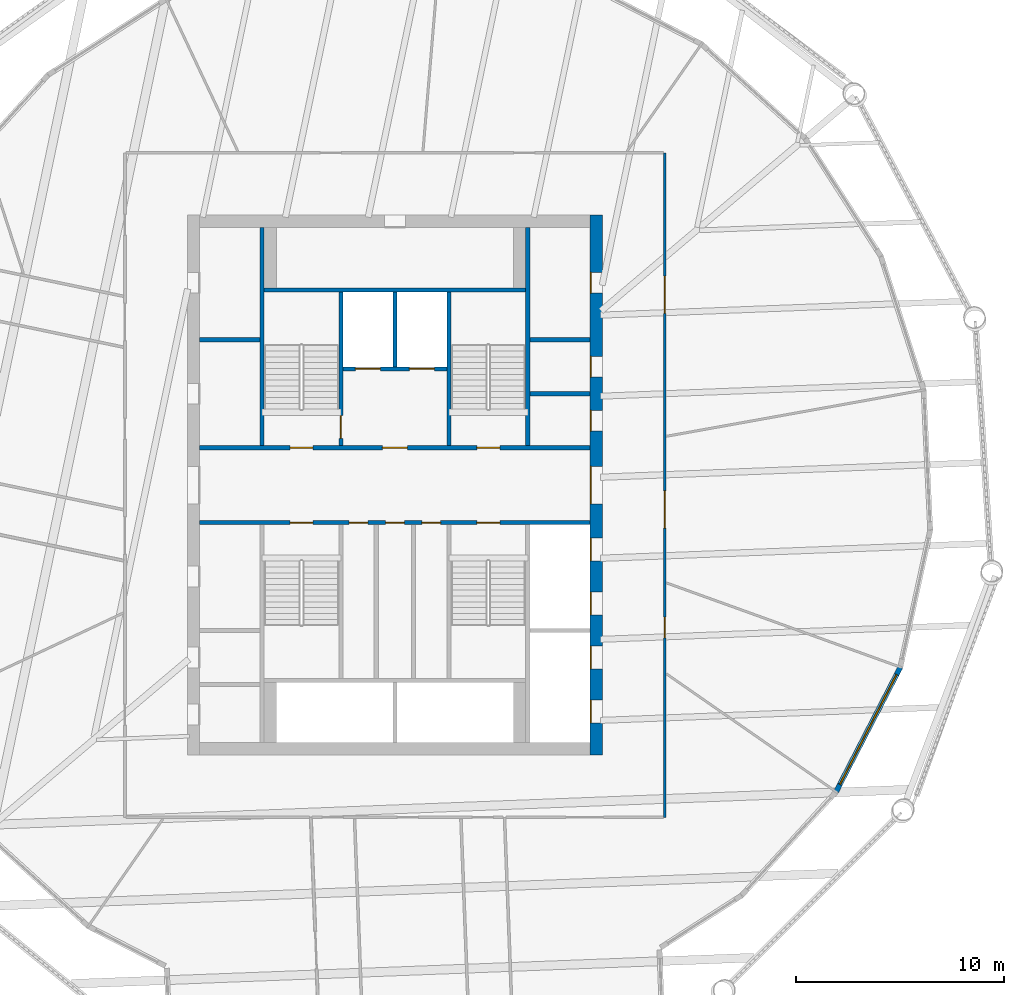
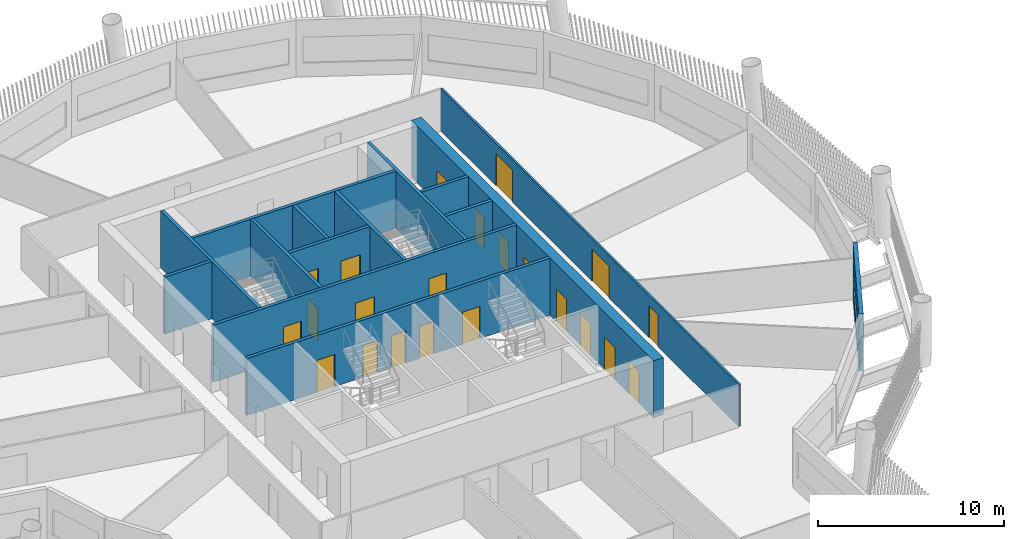
# One storey, part 5 of 14: 22 doors, 15 walls, 1 window, 23 openings.
"""IFC4 building model written with IfcOpenShell, lengths in metres."""

from ifc_helpers import new_model, si_unit, direction, frame, frame_2d, origin, place, context, subcontext, project, spatial, rectangle, extrude, material, layer, layer_set, type_object, element, fill, save


model = new_model("IFC4")

# Units and contexts
model_context = context("Model", 3, precision=1e-05, world=origin(), true_north=direction((0.0, 1.0)))
body_context = subcontext(model_context, "Body", "Model", "MODEL_VIEW")
ifc_project = project(units=[si_unit("LENGTHUNIT", "METRE"), si_unit("AREAUNIT", "SQUARE_METRE"), si_unit("VOLUMEUNIT", "CUBIC_METRE"), si_unit("PLANEANGLEUNIT", "RADIAN"), si_unit("MASSUNIT", "GRAM", prefix="KILO")], contexts=[model_context])

# Site, building, storey
site_placement = place(None, origin())
site = spatial("IfcSite", under=ifc_project, at=site_placement, CompositionType="ELEMENT")
building_placement = place(site_placement, origin())
building = spatial("IfcBuilding", under=site, at=building_placement, Name="Tarsis Ring Headquarters", CompositionType="ELEMENT")
storey_placement = place(building_placement, frame((0.0, 0.0, 235.5)))
storey = spatial("IfcBuildingStorey", under=building, at=storey_placement, Name="L55", CompositionType="ELEMENT", Elevation=235.5)

# Walls
ifc_material_1 = material(Name="Blockwork", Category="masonry")
ifc_layer_1 = layer(ifc_material_1, 0.199951171875)
ifc_layer_set_1 = layer_set([ifc_layer_1], Name="Core blockwork wall 200")
wall_type_1 = type_object("IfcWallType", Name="Core blockwork wall 200", PredefinedType="PARTITIONING", material=ifc_layer_set_1)
for number, where, z_axis, x_axis, name in (
    (1, (-9.39990234375, 7.0, 0.0), (0.0, 0.0, 1.0), (1.0, 0.0, 0.0), "Core partition WD6"),
    (2, (6.5, 4.39990234375, 0.0), (0.0, 0.0, 1.0), (1.0, 0.0, 0.0), "Core partition ED5"),
    (3, (6.5, 7.0, 0.0), (0.0, 0.0, 1.0), (1.0, 0.0, 0.0), "Core partition ED6"),
):
    element("IfcWall", number, at=place(storey_placement, frame(where, z_axis=z_axis, x_axis=x_axis)), inside=storey, type_object=wall_type_1, Name=name, PredefinedType="PARTITIONING", context=body_context, shape_type="SweptSolid", body=[
        extrude(rectangle(XDim=2.89990234375, YDim=0.199951171875, at=frame_2d((1.449951171875, 0.0))), origin(), (0.0, 0.0, 1.0), 3.739990234375),
    ])

# Wall, openings, doors
ifc_material_2 = material(Name="Concrete C50/60", Category="concrete")
ifc_layer_2 = layer(ifc_material_2, 0.60009765625)
ifc_layer_set_2 = layer_set([ifc_layer_2], Name="Core wall 600 C50/60")
wall_type_2 = type_object("IfcWallType", Name="Core wall 600 C50/60", PredefinedType="SHEAR", material=ifc_layer_set_2)
wall_1_placement = place(storey_placement, frame((9.699951171875, -13.0, 0.0), z_axis=(0.0, 0.0, 1.0), x_axis=(0.0, 1.0, 0.0)))
wall_1 = element("IfcWall", 4, at=wall_1_placement, inside=storey, type_object=wall_type_2, Name="Core wall OE", PredefinedType="SHEAR", context=body_context, shape_type="SweptSolid", body=[
    extrude(rectangle(XDim=26.0, YDim=0.60009765625, at=frame_2d((13.0, 0.0))), origin(), (0.0, 0.0, 1.0), 3.739990234375),
])
opening_1_placement = place(wall_1_placement, frame((1.550048828125, 0.0, 0.0)))
opening_1 = element("IfcOpeningElement", 5, at=opening_1_placement, cuts=wall_1, Name="Opening LD-MR1", PredefinedType="OPENING", context=body_context, shape_type="SweptSolid", body=[
    extrude(rectangle(XDim=1.10009765625, YDim=2.10009765625, at=frame_2d((0.550048828125, 1.050048828125))), frame((0.0, 0.31005859375, 0.0), z_axis=(0.0, -1.0, 0.0), x_axis=(1.0, 0.0, 0.0)), (0.0, 0.0, 1.0), 0.6201171875),
])
opening_2_placement = place(wall_1_placement, frame((4.14990234375, 0.0, 0.0)))
opening_2 = element("IfcOpeningElement", 6, at=opening_2_placement, cuts=wall_1, Name="Opening LD-MR2", PredefinedType="OPENING", context=body_context, shape_type="SweptSolid", body=[
    extrude(rectangle(XDim=1.10009765625, YDim=2.10009765625, at=frame_2d((0.550048828125, 1.050048828125))), frame((0.0, 0.31005859375, 0.0), z_axis=(0.0, -1.0, 0.0), x_axis=(1.0, 0.0, 0.0)), (0.0, 0.0, 1.0), 0.6201171875),
])
opening_3_placement = place(wall_1_placement, frame((6.75, 0.0, 0.0)))
opening_3 = element("IfcOpeningElement", 7, at=opening_3_placement, cuts=wall_1, Name="Opening LD-MR3", PredefinedType="OPENING", context=body_context, shape_type="SweptSolid", body=[
    extrude(rectangle(XDim=1.10009765625, YDim=2.10009765625, at=frame_2d((0.550048828125, 1.050048828125))), frame((0.0, 0.31005859375, 0.0), z_axis=(0.0, -1.0, 0.0), x_axis=(1.0, 0.0, 0.0)), (0.0, 0.0, 1.0), 0.6201171875),
])
opening_4_placement = place(wall_1_placement, frame((9.35009765625, 0.0, 0.0)))
opening_4 = element("IfcOpeningElement", 8, at=opening_4_placement, cuts=wall_1, Name="Opening LD-MR4", PredefinedType="OPENING", context=body_context, shape_type="SweptSolid", body=[
    extrude(rectangle(XDim=1.10009765625, YDim=2.10009765625, at=frame_2d((0.550048828125, 1.050048828125))), frame((0.0, 0.31005859375, 0.0), z_axis=(0.0, -1.0, 0.0), x_axis=(1.0, 0.0, 0.0)), (0.0, 0.0, 1.0), 0.6201171875),
])
opening_5_placement = place(wall_1_placement, frame((12.10009765625, 0.0, 0.0)))
opening_5 = element("IfcOpeningElement", 9, at=opening_5_placement, cuts=wall_1, Name="Opening L55-C11", PredefinedType="OPENING", context=body_context, shape_type="SweptSolid", body=[
    extrude(rectangle(XDim=1.800048828125, YDim=2.10009765625, at=frame_2d((0.89990234375, 1.050048828125))), frame((0.0, 0.31005859375, 0.0), z_axis=(0.0, -1.0, 0.0), x_axis=(1.0, 0.0, 0.0)), (0.0, 0.0, 1.0), 0.6201171875),
])
opening_6_placement = place(wall_1_placement, frame((15.60009765625, 0.0, 0.0)))
opening_6 = element("IfcOpeningElement", 10, at=opening_6_placement, cuts=wall_1, Name="Opening L55-C12", PredefinedType="OPENING", context=body_context, shape_type="SweptSolid", body=[
    extrude(rectangle(XDim=1.0, YDim=2.10009765625, at=frame_2d((0.5, 1.050048828125))), frame((0.0, 0.31005859375, 0.0), z_axis=(0.0, -1.0, 0.0), x_axis=(1.0, 0.0, 0.0)), (0.0, 0.0, 1.0), 0.6201171875),
])
opening_7_placement = place(wall_1_placement, frame((18.199951171875, 0.0, 0.0)))
opening_7 = element("IfcOpeningElement", 11, at=opening_7_placement, cuts=wall_1, Name="Opening L55-C13", PredefinedType="OPENING", context=body_context, shape_type="SweptSolid", body=[
    extrude(rectangle(XDim=1.0, YDim=2.10009765625, at=frame_2d((0.5, 1.050048828125))), frame((0.0, 0.31005859375, 0.0), z_axis=(0.0, -1.0, 0.0), x_axis=(1.0, 0.0, 0.0)), (0.0, 0.0, 1.0), 0.6201171875),
])
opening_8_placement = place(wall_1_placement, frame((22.25, 0.0, 0.0)))
opening_8 = element("IfcOpeningElement", 12, at=opening_8_placement, cuts=wall_1, Name="Opening L55-C14", PredefinedType="OPENING", context=body_context, shape_type="SweptSolid", body=[
    extrude(rectangle(XDim=1.0, YDim=2.10009765625, at=frame_2d((0.5, 1.050048828125))), frame((0.0, 0.31005859375, 0.0), z_axis=(0.0, -1.0, 0.0), x_axis=(1.0, 0.0, 0.0)), (0.0, 0.0, 1.0), 0.6201171875),
])
ifc_material_3 = material(Name="Steel S355", Category="steel")
door_type_1 = type_object("IfcDoorType", Name="Core entry door 1800x2100", OperationType="DOUBLE_DOOR_SINGLE_SWING", PredefinedType="DOOR", material=ifc_material_3)
door_1_placement = place(opening_5_placement, origin())
door_1 = element("IfcDoor", 13, at=door_1_placement, inside=storey, type_object=door_type_1, Name="Core entry door L55", OperationType="DOUBLE_DOOR_SINGLE_SWING", OverallHeight=2.10009765625, OverallWidth=1.800048828125, PredefinedType="DOOR", context=body_context, shape_type="SweptSolid", body=[
    extrude(rectangle(XDim=1.800048828125, YDim=2.10009765625, at=frame_2d((0.89990234375, 1.050048828125))), frame((0.0, 0.2998046875, 0.0), z_axis=(0.0, -1.0, 0.0), x_axis=(1.0, 0.0, 0.0)), (0.0, 0.0, 1.0), 0.050048828125),
])
fill(opening_5, door_1)
door_type_2 = type_object("IfcDoorType", Name="Core room door 1000x2100", OperationType="SINGLE_SWING_LEFT", PredefinedType="DOOR", material=ifc_material_3)
door_2_placement = place(opening_6_placement, origin())
door_2 = element("IfcDoor", 14, at=door_2_placement, inside=storey, type_object=door_type_2, Name="Core room door L55", OperationType="SINGLE_SWING_LEFT", OverallHeight=2.10009765625, OverallWidth=1.0, PredefinedType="DOOR", context=body_context, shape_type="SweptSolid", body=[
    extrude(rectangle(XDim=1.0, YDim=2.10009765625, at=frame_2d((0.5, 1.050048828125))), frame((0.0, 0.2998046875, 0.0), z_axis=(0.0, -1.0, 0.0), x_axis=(1.0, 0.0, 0.0)), (0.0, 0.0, 1.0), 0.050048828125),
])
fill(opening_6, door_2)
door_3_placement = place(opening_7_placement, origin())
door_3 = element("IfcDoor", 15, at=door_3_placement, inside=storey, type_object=door_type_2, Name="Core room door L55", OperationType="SINGLE_SWING_LEFT", OverallHeight=2.10009765625, OverallWidth=1.0, PredefinedType="DOOR", context=body_context, shape_type="SweptSolid", body=[
    extrude(rectangle(XDim=1.0, YDim=2.10009765625, at=frame_2d((0.5, 1.050048828125))), frame((0.0, 0.2998046875, 0.0), z_axis=(0.0, -1.0, 0.0), x_axis=(1.0, 0.0, 0.0)), (0.0, 0.0, 1.0), 0.050048828125),
])
fill(opening_7, door_3)
door_4_placement = place(opening_8_placement, origin())
door_4 = element("IfcDoor", 16, at=door_4_placement, inside=storey, type_object=door_type_2, Name="Core room door L55", OperationType="SINGLE_SWING_LEFT", OverallHeight=2.10009765625, OverallWidth=1.0, PredefinedType="DOOR", context=body_context, shape_type="SweptSolid", body=[
    extrude(rectangle(XDim=1.0, YDim=2.10009765625, at=frame_2d((0.5, 1.050048828125))), frame((0.0, 0.2998046875, 0.0), z_axis=(0.0, -1.0, 0.0), x_axis=(1.0, 0.0, 0.0)), (0.0, 0.0, 1.0), 0.050048828125),
])
fill(opening_8, door_4)
door_type_3 = type_object("IfcDoorType", Name="Landing door 1100x2100", OperationType="SLIDING_TO_LEFT", PredefinedType="DOOR", material=ifc_material_3)
door_5_placement = place(opening_1_placement, origin())
door_5 = element("IfcDoor", 17, at=door_5_placement, inside=storey, type_object=door_type_3, Name="Landing door MR1 L55", OperationType="SLIDING_TO_LEFT", OverallHeight=2.10009765625, OverallWidth=1.10009765625, PredefinedType="DOOR", context=body_context, shape_type="SweptSolid", body=[
    extrude(rectangle(XDim=1.10009765625, YDim=2.10009765625, at=frame_2d((0.550048828125, 1.050048828125))), frame((0.0, 0.2998046875, 0.0), z_axis=(0.0, -1.0, 0.0), x_axis=(1.0, 0.0, 0.0)), (0.0, 0.0, 1.0), 0.050048828125),
])
fill(opening_1, door_5)
door_6_placement = place(opening_2_placement, origin())
door_6 = element("IfcDoor", 18, at=door_6_placement, inside=storey, type_object=door_type_3, Name="Landing door MR2 L55", OperationType="SLIDING_TO_LEFT", OverallHeight=2.10009765625, OverallWidth=1.10009765625, PredefinedType="DOOR", context=body_context, shape_type="SweptSolid", body=[
    extrude(rectangle(XDim=1.10009765625, YDim=2.10009765625, at=frame_2d((0.550048828125, 1.050048828125))), frame((0.0, 0.2998046875, 0.0), z_axis=(0.0, -1.0, 0.0), x_axis=(1.0, 0.0, 0.0)), (0.0, 0.0, 1.0), 0.050048828125),
])
fill(opening_2, door_6)
door_7_placement = place(opening_3_placement, origin())
door_7 = element("IfcDoor", 19, at=door_7_placement, inside=storey, type_object=door_type_3, Name="Landing door MR3 L55", OperationType="SLIDING_TO_LEFT", OverallHeight=2.10009765625, OverallWidth=1.10009765625, PredefinedType="DOOR", context=body_context, shape_type="SweptSolid", body=[
    extrude(rectangle(XDim=1.10009765625, YDim=2.10009765625, at=frame_2d((0.550048828125, 1.050048828125))), frame((0.0, 0.2998046875, 0.0), z_axis=(0.0, -1.0, 0.0), x_axis=(1.0, 0.0, 0.0)), (0.0, 0.0, 1.0), 0.050048828125),
])
fill(opening_3, door_7)
door_8_placement = place(opening_4_placement, origin())
door_8 = element("IfcDoor", 20, at=door_8_placement, inside=storey, type_object=door_type_3, Name="Landing door MR4 L55", OperationType="SLIDING_TO_LEFT", OverallHeight=2.10009765625, OverallWidth=1.10009765625, PredefinedType="DOOR", context=body_context, shape_type="SweptSolid", body=[
    extrude(rectangle(XDim=1.10009765625, YDim=2.10009765625, at=frame_2d((0.550048828125, 1.050048828125))), frame((0.0, 0.2998046875, 0.0), z_axis=(0.0, -1.0, 0.0), x_axis=(1.0, 0.0, 0.0)), (0.0, 0.0, 1.0), 0.050048828125),
])
fill(opening_4, door_8)

ifc_material_4 = material(Name="Gypsum board on steel studs", Category="steel")
ifc_layer_3 = layer(ifc_material_4, 0.125)
ifc_layer_set_3 = layer_set([ifc_layer_3], Name="FL partition 125 EI 60 H2770")
wall_type_3 = type_object("IfcWallType", Name="FL partition 125 EI 60 H2770", PredefinedType="PARTITIONING", material=ifc_layer_set_3)
wall_2_placement = place(storey_placement, frame((13.0, -16.0, 0.0), z_axis=(0.0, 0.0, 1.0), x_axis=(0.0, 1.0, 0.0)))
wall_2 = element("IfcWall", 21, at=wall_2_placement, inside=storey, type_object=wall_type_3, Name="Partition PW1", PredefinedType="PARTITIONING", context=body_context, shape_type="SweptSolid", body=[
    extrude(rectangle(XDim=32.0, YDim=0.125, at=frame_2d((16.0, 0.0))), origin(), (0.0, 0.0, 1.0), 2.77001953125),
])
opening_9_placement = place(wall_2_placement, frame((24.26953125, 0.0, 0.0)))
opening_9 = element("IfcOpeningElement", 22, at=opening_9_placement, cuts=wall_2, Name="Opening D55.06", PredefinedType="OPENING", context=body_context, shape_type="SweptSolid", body=[
    extrude(rectangle(XDim=1.800048828125, YDim=2.10009765625, at=frame_2d((0.89990234375, 1.050048828125))), frame((0.0, 0.072509765625, 0.0), z_axis=(0.0, -1.0, 0.0), x_axis=(1.0, 0.0, 0.0)), (0.0, 0.0, 1.0), 0.14501953125),
])
opening_10_placement = place(wall_2_placement, frame((13.929443359375, 0.0, 0.0)))
opening_10 = element("IfcOpeningElement", 23, at=opening_10_placement, cuts=wall_2, Name="Opening D55.07", PredefinedType="OPENING", context=body_context, shape_type="SweptSolid", body=[
    extrude(rectangle(XDim=1.800048828125, YDim=2.10009765625, at=frame_2d((0.89990234375, 1.050048828125))), frame((0.0, 0.072509765625, 0.0), z_axis=(0.0, -1.0, 0.0), x_axis=(1.0, 0.0, 0.0)), (0.0, 0.0, 1.0), 0.14501953125),
])
opening_11_placement = place(wall_2_placement, frame((8.64208984375, 0.0, 0.0)))
opening_11 = element("IfcOpeningElement", 24, at=opening_11_placement, cuts=wall_2, Name="Opening D55.08", PredefinedType="OPENING", context=body_context, shape_type="SweptSolid", body=[
    extrude(rectangle(XDim=1.0, YDim=2.10009765625, at=frame_2d((0.5, 1.050048828125))), frame((0.0, 0.072509765625, 0.0), z_axis=(0.0, -1.0, 0.0), x_axis=(1.0, 0.0, 0.0)), (0.0, 0.0, 1.0), 0.14501953125),
])
ifc_material_5 = material(Name="Fire-rated timber door leaf in steel frame", Category="steel")
door_type_4 = type_object("IfcDoorType", Name="FL door FD60-1000", OperationType="NOTDEFINED", PredefinedType="DOOR", material=ifc_material_5)
door_9_placement = place(opening_11_placement, origin())
door_9 = element("IfcDoor", 25, at=door_9_placement, inside=storey, type_object=door_type_4, Name="Door D55.08", OperationType="SINGLE_SWING_LEFT", OverallHeight=2.10009765625, OverallWidth=1.0, PredefinedType="DOOR", context=body_context, shape_type="SweptSolid", body=[
    extrude(rectangle(XDim=1.0, YDim=2.10009765625, at=frame_2d((0.5, 1.050048828125))), frame((0.0, 0.02490234375, 0.0), z_axis=(0.0, -1.0, 0.0), x_axis=(1.0, 0.0, 0.0)), (0.0, 0.0, 1.0), 0.050048828125),
])
fill(opening_11, door_9)
door_type_5 = type_object("IfcDoorType", Name="FL door FD60-1800", OperationType="DOUBLE_DOOR_SINGLE_SWING", PredefinedType="DOOR", material=ifc_material_5)
door_10_placement = place(opening_9_placement, origin())
door_10 = element("IfcDoor", 26, at=door_10_placement, inside=storey, type_object=door_type_5, Name="Door D55.06", OperationType="DOUBLE_DOOR_SINGLE_SWING", OverallHeight=2.10009765625, OverallWidth=1.800048828125, PredefinedType="DOOR", context=body_context, shape_type="SweptSolid", body=[
    extrude(rectangle(XDim=1.800048828125, YDim=2.10009765625, at=frame_2d((0.89990234375, 1.050048828125))), frame((0.0, 0.02490234375, 0.0), z_axis=(0.0, -1.0, 0.0), x_axis=(1.0, 0.0, 0.0)), (0.0, 0.0, 1.0), 0.050048828125),
])
fill(opening_9, door_10)
door_11_placement = place(opening_10_placement, origin())
door_11 = element("IfcDoor", 27, at=door_11_placement, inside=storey, type_object=door_type_5, Name="Door D55.07", OperationType="DOUBLE_DOOR_SINGLE_SWING", OverallHeight=2.10009765625, OverallWidth=1.800048828125, PredefinedType="DOOR", context=body_context, shape_type="SweptSolid", body=[
    extrude(rectangle(XDim=1.800048828125, YDim=2.10009765625, at=frame_2d((0.89990234375, 1.050048828125))), frame((0.0, 0.02490234375, 0.0), z_axis=(0.0, -1.0, 0.0), x_axis=(1.0, 0.0, 0.0)), (0.0, 0.0, 1.0), 0.050048828125),
])
fill(opening_10, door_11)

# Wall, opening, window
ifc_material_6 = material(Name="Terracotta clad insulated panel wall", Category="masonry")
ifc_layer_4 = layer(ifc_material_6, 0.25)
ifc_layer_set_4 = layer_set([ifc_layer_4], Name="Facade wall terracotta panel 250")
wall_type_4 = type_object("IfcWallType", Name="Facade wall terracotta panel 250", PredefinedType="STANDARD", material=ifc_layer_set_4)
wall_3_placement = place(storey_placement, frame((21.25390625, -14.751953125, 0.0), z_axis=(0.0, 0.0, 1.0), x_axis=(0.458640144121, 0.888622089643, 0.0)))
wall_3 = element("IfcWall", 28, at=wall_3_placement, inside=storey, type_object=wall_type_4, Name="External wall L55-19", PredefinedType="STANDARD", context=body_context, shape_type="SweptSolid", body=[
    extrude(rectangle(XDim=6.721435546875, YDim=0.25, at=frame_2d((3.36083984375, 0.0))), origin(), (0.0, 0.0, 1.0), 3.739990234375),
])
opening_12_placement = place(wall_3_placement, frame((0.3857421875, 0.0, 0.89990234375)))
opening_12 = element("IfcOpeningElement", 29, at=opening_12_placement, cuts=wall_3, Name="Opening WN07", PredefinedType="OPENING", context=body_context, shape_type="SweptSolid", body=[
    extrude(rectangle(XDim=5.949951171875, YDim=1.699951171875, at=frame_2d((2.97509765625, 0.85009765625))), frame((0.0, 0.135009765625, 0.0), z_axis=(0.0, -1.0, 0.0), x_axis=(1.0, 0.0, 0.0)), (0.0, 0.0, 1.0), 0.27001953125),
])
ifc_material_7 = material(Name="Aluminium framed double glazing", Category="aluminium")
window_type = type_object("IfcWindowType", Name="Facade window 5950 x 1700", PartitioningType="SINGLE_PANEL", PredefinedType="WINDOW", material=ifc_material_7)
window_placement = place(opening_12_placement, origin())
window = element("IfcWindow", 30, at=window_placement, inside=storey, type_object=window_type, Name="Window L55-19.1", OverallHeight=1.699951171875, OverallWidth=5.949951171875, PartitioningType="SINGLE_PANEL", PredefinedType="WINDOW", context=body_context, shape_type="SweptSolid", body=[
    extrude(rectangle(XDim=5.949951171875, YDim=1.699951171875, at=frame_2d((2.97509765625, 0.85009765625))), frame((0.0, 0.030029296875, 0.0), z_axis=(0.0, -1.0, 0.0), x_axis=(1.0, 0.0, 0.0)), (0.0, 0.0, 1.0), 0.06005859375),
])
fill(opening_12, window)

# Wall, openings, doors
ifc_material_8 = material(Name="Concrete C32/40", Category="concrete")
ifc_layer_5 = layer(ifc_material_8, 0.199951171875)
ifc_layer_set_5 = layer_set([ifc_layer_5], Name="Shaft wall 200 C32/40")
wall_type_5 = type_object("IfcWallType", Name="Shaft wall 200 C32/40", PredefinedType="SOLIDWALL", material=ifc_layer_set_5)
wall_4_placement = place(storey_placement, frame((-9.39990234375, 1.800048828125, 0.0), z_axis=(0.0, 0.0, 1.0), x_axis=(1.0, 0.0, 0.0)))
wall_4 = element("IfcWall", 31, at=wall_4_placement, inside=storey, type_object=wall_type_5, Name="Core shaft wall CN", PredefinedType="SOLIDWALL", context=body_context, shape_type="SweptSolid", body=[
    extrude(rectangle(XDim=18.7998046875, YDim=0.199951171875, at=frame_2d((9.39990234375, 0.0))), origin(), (0.0, 0.0, 1.0), 3.739990234375),
])
opening_13_placement = place(wall_4_placement, frame((4.35009765625, 0.0, 0.0)))
opening_13 = element("IfcOpeningElement", 32, at=opening_13_placement, cuts=wall_4, Name="Opening L55-C16", PredefinedType="OPENING", context=body_context, shape_type="SweptSolid", body=[
    extrude(rectangle(XDim=1.10009765625, YDim=2.10009765625, at=frame_2d((0.550048828125, 1.050048828125))), frame((0.0, 0.10986328125, 0.0), z_axis=(0.0, -1.0, 0.0), x_axis=(1.0, 0.0, 0.0)), (0.0, 0.0, 1.0), 0.219970703125),
])
opening_14_placement = place(wall_4_placement, frame((8.800048828125, 0.0, 0.0)))
opening_14 = element("IfcOpeningElement", 33, at=opening_14_placement, cuts=wall_4, Name="Opening L55-C17", PredefinedType="OPENING", context=body_context, shape_type="SweptSolid", body=[
    extrude(rectangle(XDim=1.199951171875, YDim=2.10009765625, at=frame_2d((0.60009765625, 1.050048828125))), frame((0.0, 0.10986328125, 0.0), z_axis=(0.0, -1.0, 0.0), x_axis=(1.0, 0.0, 0.0)), (0.0, 0.0, 1.0), 0.219970703125),
])
opening_15_placement = place(wall_4_placement, frame((13.35009765625, 0.0, 0.0)))
opening_15 = element("IfcOpeningElement", 34, at=opening_15_placement, cuts=wall_4, Name="Opening L55-C18", PredefinedType="OPENING", context=body_context, shape_type="SweptSolid", body=[
    extrude(rectangle(XDim=1.10009765625, YDim=2.10009765625, at=frame_2d((0.550048828125, 1.050048828125))), frame((0.0, 0.10986328125, 0.0), z_axis=(0.0, -1.0, 0.0), x_axis=(1.0, 0.0, 0.0)), (0.0, 0.0, 1.0), 0.219970703125),
])
door_type_6 = type_object("IfcDoorType", Name="Firefighting lobby door 1200x2100", OperationType="DOUBLE_DOOR_SINGLE_SWING", PredefinedType="DOOR", material=ifc_material_3)
door_12_placement = place(opening_14_placement, origin())
door_12 = element("IfcDoor", 35, at=door_12_placement, inside=storey, type_object=door_type_6, Name="Firefighting lobby door L55", OperationType="DOUBLE_DOOR_SINGLE_SWING", OverallHeight=2.10009765625, OverallWidth=1.199951171875, PredefinedType="DOOR", context=body_context, shape_type="SweptSolid", body=[
    extrude(rectangle(XDim=1.199951171875, YDim=2.10009765625, at=frame_2d((0.60009765625, 1.050048828125))), frame((0.0, 0.02490234375, 0.0), z_axis=(0.0, -1.0, 0.0), x_axis=(1.0, 0.0, 0.0)), (0.0, 0.0, 1.0), 0.050048828125),
])
fill(opening_14, door_12)
door_type_7 = type_object("IfcDoorType", Name="Stair door 1100x2100", OperationType="SINGLE_SWING_LEFT", PredefinedType="DOOR", material=ifc_material_3)
door_13_placement = place(opening_13_placement, origin())
door_13 = element("IfcDoor", 36, at=door_13_placement, inside=storey, type_object=door_type_7, Name="Stair door L55", OperationType="SINGLE_SWING_LEFT", OverallHeight=2.10009765625, OverallWidth=1.10009765625, PredefinedType="DOOR", context=body_context, shape_type="SweptSolid", body=[
    extrude(rectangle(XDim=1.10009765625, YDim=2.10009765625, at=frame_2d((0.550048828125, 1.050048828125))), frame((0.0, 0.02490234375, 0.0), z_axis=(0.0, -1.0, 0.0), x_axis=(1.0, 0.0, 0.0)), (0.0, 0.0, 1.0), 0.050048828125),
])
fill(opening_13, door_13)
door_14_placement = place(opening_15_placement, origin())
door_14 = element("IfcDoor", 37, at=door_14_placement, inside=storey, type_object=door_type_7, Name="Stair door L55", OperationType="SINGLE_SWING_LEFT", OverallHeight=2.10009765625, OverallWidth=1.10009765625, PredefinedType="DOOR", context=body_context, shape_type="SweptSolid", body=[
    extrude(rectangle(XDim=1.10009765625, YDim=2.10009765625, at=frame_2d((0.550048828125, 1.050048828125))), frame((0.0, 0.02490234375, 0.0), z_axis=(0.0, -1.0, 0.0), x_axis=(1.0, 0.0, 0.0)), (0.0, 0.0, 1.0), 0.050048828125),
])
fill(opening_15, door_14)

wall_5_placement = place(storey_placement, frame((-9.39990234375, -1.800048828125, 0.0), z_axis=(0.0, 0.0, 1.0), x_axis=(1.0, 0.0, 0.0)))
wall_5 = element("IfcWall", 38, at=wall_5_placement, inside=storey, type_object=wall_type_5, Name="Core shaft wall CS", PredefinedType="SOLIDWALL", context=body_context, shape_type="SweptSolid", body=[
    extrude(rectangle(XDim=18.7998046875, YDim=0.199951171875, at=frame_2d((9.39990234375, 0.0))), origin(), (0.0, 0.0, 1.0), 3.739990234375),
])
opening_16_placement = place(wall_5_placement, frame((4.35009765625, 0.0, 0.0)))
opening_16 = element("IfcOpeningElement", 39, at=opening_16_placement, cuts=wall_5, Name="Opening L55-C19", PredefinedType="OPENING", context=body_context, shape_type="SweptSolid", body=[
    extrude(rectangle(XDim=1.10009765625, YDim=2.10009765625, at=frame_2d((0.550048828125, 1.050048828125))), frame((0.0, 0.10986328125, 0.0), z_axis=(0.0, -1.0, 0.0), x_axis=(1.0, 0.0, 0.0)), (0.0, 0.0, 1.0), 0.219970703125),
])
opening_17_placement = place(wall_5_placement, frame((7.199951171875, 0.0, 0.0)))
opening_17 = element("IfcOpeningElement", 40, at=opening_17_placement, cuts=wall_5, Name="Opening L55-C20", PredefinedType="OPENING", context=body_context, shape_type="SweptSolid", body=[
    extrude(rectangle(XDim=0.89990234375, YDim=2.10009765625, at=frame_2d((0.449951171875, 1.050048828125))), frame((0.0, 0.10986328125, 0.0), z_axis=(0.0, -1.0, 0.0), x_axis=(1.0, 0.0, 0.0)), (0.0, 0.0, 1.0), 0.219970703125),
])
opening_18_placement = place(wall_5_placement, frame((8.949951171875, 0.0, 0.0)))
opening_18 = element("IfcOpeningElement", 41, at=opening_18_placement, cuts=wall_5, Name="Opening L55-C21", PredefinedType="OPENING", context=body_context, shape_type="SweptSolid", body=[
    extrude(rectangle(XDim=0.89990234375, YDim=2.10009765625, at=frame_2d((0.449951171875, 1.050048828125))), frame((0.0, 0.10986328125, 0.0), z_axis=(0.0, -1.0, 0.0), x_axis=(1.0, 0.0, 0.0)), (0.0, 0.0, 1.0), 0.219970703125),
])
opening_19_placement = place(wall_5_placement, frame((10.699951171875, 0.0, 0.0)))
opening_19 = element("IfcOpeningElement", 42, at=opening_19_placement, cuts=wall_5, Name="Opening L55-C22", PredefinedType="OPENING", context=body_context, shape_type="SweptSolid", body=[
    extrude(rectangle(XDim=0.89990234375, YDim=2.10009765625, at=frame_2d((0.449951171875, 1.050048828125))), frame((0.0, 0.10986328125, 0.0), z_axis=(0.0, -1.0, 0.0), x_axis=(1.0, 0.0, 0.0)), (0.0, 0.0, 1.0), 0.219970703125),
])
opening_20_placement = place(wall_5_placement, frame((13.35009765625, 0.0, 0.0)))
opening_20 = element("IfcOpeningElement", 43, at=opening_20_placement, cuts=wall_5, Name="Opening L55-C23", PredefinedType="OPENING", context=body_context, shape_type="SweptSolid", body=[
    extrude(rectangle(XDim=1.10009765625, YDim=2.10009765625, at=frame_2d((0.550048828125, 1.050048828125))), frame((0.0, 0.10986328125, 0.0), z_axis=(0.0, -1.0, 0.0), x_axis=(1.0, 0.0, 0.0)), (0.0, 0.0, 1.0), 0.219970703125),
])
door_15_placement = place(opening_16_placement, origin())
door_15 = element("IfcDoor", 44, at=door_15_placement, inside=storey, type_object=door_type_7, Name="Stair door L55", OperationType="SINGLE_SWING_LEFT", OverallHeight=2.10009765625, OverallWidth=1.10009765625, PredefinedType="DOOR", context=body_context, shape_type="SweptSolid", body=[
    extrude(rectangle(XDim=1.10009765625, YDim=2.10009765625, at=frame_2d((0.550048828125, 1.050048828125))), frame((0.0, 0.02490234375, 0.0), z_axis=(0.0, -1.0, 0.0), x_axis=(1.0, 0.0, 0.0)), (0.0, 0.0, 1.0), 0.050048828125),
])
fill(opening_16, door_15)
door_16_placement = place(opening_20_placement, origin())
door_16 = element("IfcDoor", 45, at=door_16_placement, inside=storey, type_object=door_type_7, Name="Stair door L55", OperationType="SINGLE_SWING_LEFT", OverallHeight=2.10009765625, OverallWidth=1.10009765625, PredefinedType="DOOR", context=body_context, shape_type="SweptSolid", body=[
    extrude(rectangle(XDim=1.10009765625, YDim=2.10009765625, at=frame_2d((0.550048828125, 1.050048828125))), frame((0.0, 0.02490234375, 0.0), z_axis=(0.0, -1.0, 0.0), x_axis=(1.0, 0.0, 0.0)), (0.0, 0.0, 1.0), 0.050048828125),
])
fill(opening_20, door_16)
door_type_8 = type_object("IfcDoorType", Name="WC door 900x2100", OperationType="SINGLE_SWING_LEFT", PredefinedType="DOOR", material=ifc_material_3)
door_17_placement = place(opening_17_placement, origin())
door_17 = element("IfcDoor", 46, at=door_17_placement, inside=storey, type_object=door_type_8, Name="WC door L55", OperationType="SINGLE_SWING_LEFT", OverallHeight=2.10009765625, OverallWidth=0.89990234375, PredefinedType="DOOR", context=body_context, shape_type="SweptSolid", body=[
    extrude(rectangle(XDim=0.89990234375, YDim=2.10009765625, at=frame_2d((0.449951171875, 1.050048828125))), frame((0.0, 0.02490234375, 0.0), z_axis=(0.0, -1.0, 0.0), x_axis=(1.0, 0.0, 0.0)), (0.0, 0.0, 1.0), 0.050048828125),
])
fill(opening_17, door_17)
door_18_placement = place(opening_18_placement, origin())
door_18 = element("IfcDoor", 47, at=door_18_placement, inside=storey, type_object=door_type_8, Name="WC door L55", OperationType="SINGLE_SWING_LEFT", OverallHeight=2.10009765625, OverallWidth=0.89990234375, PredefinedType="DOOR", context=body_context, shape_type="SweptSolid", body=[
    extrude(rectangle(XDim=0.89990234375, YDim=2.10009765625, at=frame_2d((0.449951171875, 1.050048828125))), frame((0.0, 0.02490234375, 0.0), z_axis=(0.0, -1.0, 0.0), x_axis=(1.0, 0.0, 0.0)), (0.0, 0.0, 1.0), 0.050048828125),
])
fill(opening_18, door_18)
door_19_placement = place(opening_19_placement, origin())
door_19 = element("IfcDoor", 48, at=door_19_placement, inside=storey, type_object=door_type_8, Name="WC door L55", OperationType="SINGLE_SWING_LEFT", OverallHeight=2.10009765625, OverallWidth=0.89990234375, PredefinedType="DOOR", context=body_context, shape_type="SweptSolid", body=[
    extrude(rectangle(XDim=0.89990234375, YDim=2.10009765625, at=frame_2d((0.449951171875, 1.050048828125))), frame((0.0, 0.02490234375, 0.0), z_axis=(0.0, -1.0, 0.0), x_axis=(1.0, 0.0, 0.0)), (0.0, 0.0, 1.0), 0.050048828125),
])
fill(opening_19, door_19)

# Walls
for number, where, z_axis, x_axis, name in (
    (49, (-6.39990234375, 1.89990234375, 0.0), (0.0, 0.0, 1.0), (0.0, 1.0, 0.0), "Core shaft wall WB2"),
    (50, (6.39990234375, 1.89990234375, 0.0), (0.0, 0.0, 1.0), (0.0, 1.0, 0.0), "Core shaft wall EB2"),
):
    element("IfcWall", number, at=place(storey_placement, frame(where, z_axis=z_axis, x_axis=x_axis)), inside=storey, type_object=wall_type_5, Name=name, PredefinedType="SOLIDWALL", context=body_context, shape_type="SweptSolid", body=[
        extrude(rectangle(XDim=10.5, YDim=0.199951171875, at=frame_2d((5.25, 0.0))), origin(), (0.0, 0.0, 1.0), 3.739990234375),
    ])
wall_6_placement = place(storey_placement, frame((-6.300048828125, 9.39990234375, 0.0), z_axis=(0.0, 0.0, 1.0), x_axis=(1.0, 0.0, 0.0)))
element("IfcWall", 51, at=wall_6_placement, inside=storey, type_object=wall_type_5, Name="Core shaft wall NB", PredefinedType="SOLIDWALL", context=body_context, shape_type="SweptSolid", body=[
    extrude(rectangle(XDim=12.60009765625, YDim=0.199951171875, at=frame_2d((6.300048828125, 0.0))), origin(), (0.0, 0.0, 1.0), 3.739990234375),
])

# Wall, opening, door
wall_7_placement = place(storey_placement, frame((-2.60009765625, 1.89990234375, 0.0), z_axis=(0.0, 0.0, 1.0), x_axis=(0.0, 1.0, 0.0)))
wall_7 = element("IfcWall", 52, at=wall_7_placement, inside=storey, type_object=wall_type_5, Name="Core shaft wall SW1", PredefinedType="SOLIDWALL", context=body_context, shape_type="SweptSolid", body=[
    extrude(rectangle(XDim=7.400146484375, YDim=0.199951171875, at=frame_2d((3.7001953125, 0.0))), origin(), (0.0, 0.0, 1.0), 3.739990234375),
])
opening_21_placement = place(wall_7_placement, frame((0.35009765625, 0.0, 0.0)))
opening_21 = element("IfcOpeningElement", 53, at=opening_21_placement, cuts=wall_7, Name="Opening L55-C24", PredefinedType="OPENING", context=body_context, shape_type="SweptSolid", body=[
    extrude(rectangle(XDim=1.10009765625, YDim=2.10009765625, at=frame_2d((0.550048828125, 1.050048828125))), frame((0.0, 0.10986328125, 0.0), z_axis=(0.0, -1.0, 0.0), x_axis=(1.0, 0.0, 0.0)), (0.0, 0.0, 1.0), 0.219970703125),
])
door_20_placement = place(opening_21_placement, origin())
door_20 = element("IfcDoor", 54, at=door_20_placement, inside=storey, type_object=door_type_7, Name="Stair door L55", OperationType="SINGLE_SWING_LEFT", OverallHeight=2.10009765625, OverallWidth=1.10009765625, PredefinedType="DOOR", context=body_context, shape_type="SweptSolid", body=[
    extrude(rectangle(XDim=1.10009765625, YDim=2.10009765625, at=frame_2d((0.550048828125, 1.050048828125))), frame((0.0, 0.02490234375, 0.0), z_axis=(0.0, -1.0, 0.0), x_axis=(1.0, 0.0, 0.0)), (0.0, 0.0, 1.0), 0.050048828125),
])
fill(opening_21, door_20)

# Wall
wall_8_placement = place(storey_placement, frame((2.60009765625, 1.89990234375, 0.0), z_axis=(0.0, 0.0, 1.0), x_axis=(0.0, 1.0, 0.0)))
element("IfcWall", 55, at=wall_8_placement, inside=storey, type_object=wall_type_5, Name="Core shaft wall SW2", PredefinedType="SOLIDWALL", context=body_context, shape_type="SweptSolid", body=[
    extrude(rectangle(XDim=7.400146484375, YDim=0.199951171875, at=frame_2d((3.7001953125, 0.0))), origin(), (0.0, 0.0, 1.0), 3.739990234375),
])

# Wall, openings, doors
wall_9_placement = place(storey_placement, frame((-2.5, 5.60009765625, 0.0), z_axis=(0.0, 0.0, 1.0), x_axis=(1.0, 0.0, 0.0)))
wall_9 = element("IfcWall", 56, at=wall_9_placement, inside=storey, type_object=wall_type_5, Name="Core shaft wall FFN", PredefinedType="SOLIDWALL", context=body_context, shape_type="SweptSolid", body=[
    extrude(rectangle(XDim=5.0, YDim=0.199951171875, at=frame_2d((2.5, 0.0))), origin(), (0.0, 0.0, 1.0), 3.739990234375),
])
opening_22_placement = place(wall_9_placement, frame((0.60009765625, 0.0, 0.0)))
opening_22 = element("IfcOpeningElement", 57, at=opening_22_placement, cuts=wall_9, Name="Opening LDF-1", PredefinedType="OPENING", context=body_context, shape_type="SweptSolid", body=[
    extrude(rectangle(XDim=1.199951171875, YDim=2.10009765625, at=frame_2d((0.60009765625, 1.050048828125))), frame((0.0, 0.10986328125, 0.0), z_axis=(0.0, -1.0, 0.0), x_axis=(1.0, 0.0, 0.0)), (0.0, 0.0, 1.0), 0.219970703125),
])
opening_23_placement = place(wall_9_placement, frame((3.199951171875, 0.0, 0.0)))
opening_23 = element("IfcOpeningElement", 58, at=opening_23_placement, cuts=wall_9, Name="Opening LDF-2", PredefinedType="OPENING", context=body_context, shape_type="SweptSolid", body=[
    extrude(rectangle(XDim=1.199951171875, YDim=2.10009765625, at=frame_2d((0.60009765625, 1.050048828125))), frame((0.0, 0.10986328125, 0.0), z_axis=(0.0, -1.0, 0.0), x_axis=(1.0, 0.0, 0.0)), (0.0, 0.0, 1.0), 0.219970703125),
])
door_type_9 = type_object("IfcDoorType", Name="Firefighting landing door 1200x2100", OperationType="SLIDING_TO_LEFT", PredefinedType="DOOR", material=ifc_material_3)
door_21_placement = place(opening_22_placement, origin())
door_21 = element("IfcDoor", 59, at=door_21_placement, inside=storey, type_object=door_type_9, Name="Landing door FF1 L55", OperationType="SLIDING_TO_LEFT", OverallHeight=2.10009765625, OverallWidth=1.199951171875, PredefinedType="DOOR", context=body_context, shape_type="SweptSolid", body=[
    extrude(rectangle(XDim=1.199951171875, YDim=2.10009765625, at=frame_2d((0.60009765625, 1.050048828125))), frame((0.0, 0.02490234375, 0.0), z_axis=(0.0, -1.0, 0.0), x_axis=(1.0, 0.0, 0.0)), (0.0, 0.0, 1.0), 0.050048828125),
])
fill(opening_22, door_21)
door_22_placement = place(opening_23_placement, origin())
door_22 = element("IfcDoor", 60, at=door_22_placement, inside=storey, type_object=door_type_9, Name="Landing door FF2 L55", OperationType="SLIDING_TO_LEFT", OverallHeight=2.10009765625, OverallWidth=1.199951171875, PredefinedType="DOOR", context=body_context, shape_type="SweptSolid", body=[
    extrude(rectangle(XDim=1.199951171875, YDim=2.10009765625, at=frame_2d((0.60009765625, 1.050048828125))), frame((0.0, 0.02490234375, 0.0), z_axis=(0.0, -1.0, 0.0), x_axis=(1.0, 0.0, 0.0)), (0.0, 0.0, 1.0), 0.050048828125),
])
fill(opening_23, door_22)

# Wall
wall_10_placement = place(storey_placement, frame((0.0, 5.699951171875, 0.0), z_axis=(0.0, 0.0, 1.0), x_axis=(0.0, 1.0, 0.0)))
element("IfcWall", 61, at=wall_10_placement, inside=storey, type_object=wall_type_5, Name="Core shaft wall FFD", PredefinedType="SOLIDWALL", context=body_context, shape_type="SweptSolid", body=[
    extrude(rectangle(XDim=3.60009765625, YDim=0.199951171875, at=frame_2d((1.800048828125, 0.0))), origin(), (0.0, 0.0, 1.0), 3.739990234375),
])

save(model, "model.ifc")
